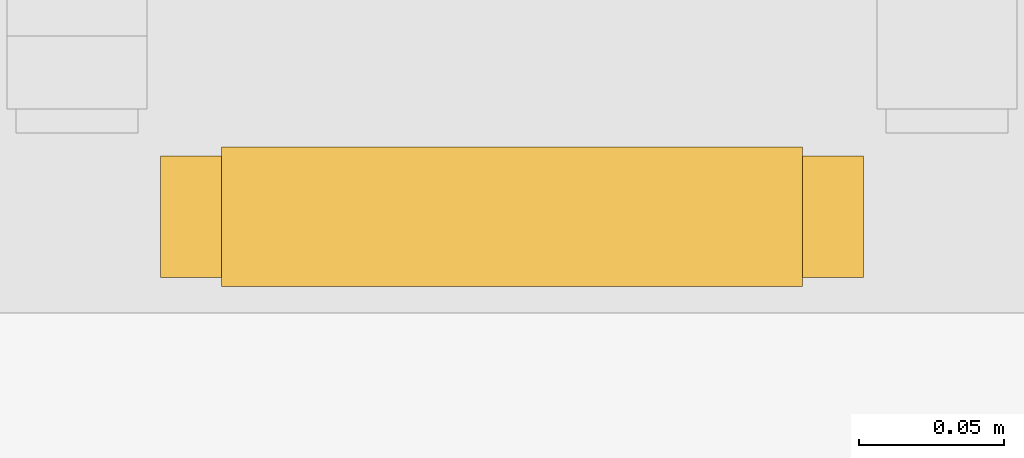
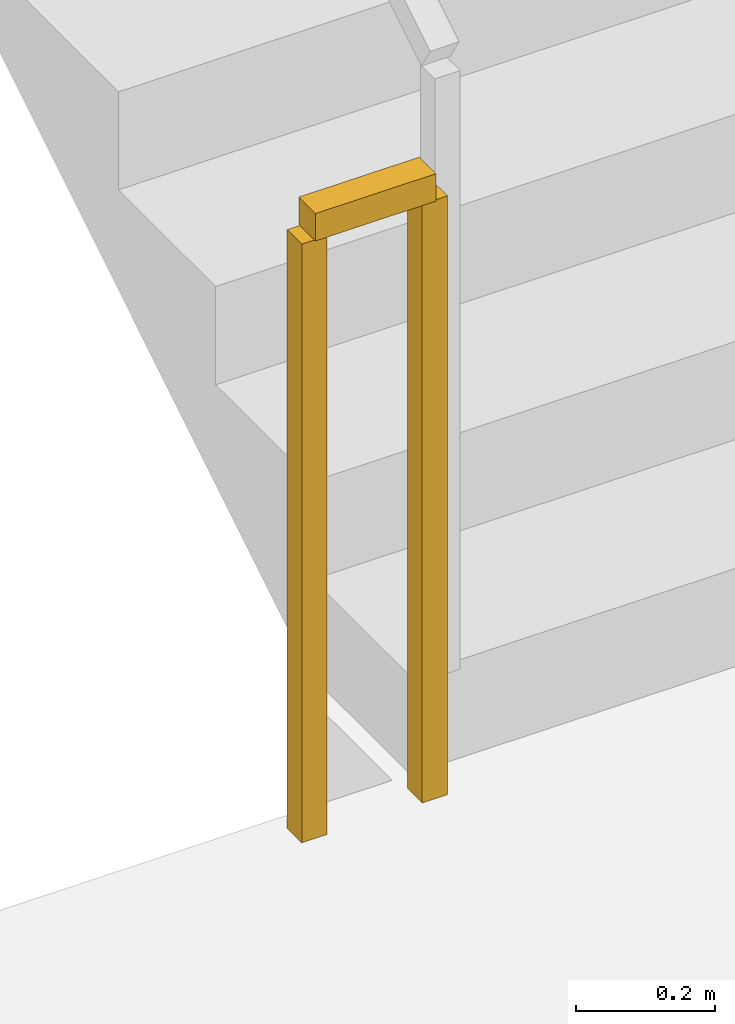
# One storey, part 8 of 11: 1 railing.
"""IFC4 building model written with IfcOpenShell, lengths in metres."""

from ifc_helpers import new_model, si_unit, direction, frame, origin, origin_2d, place, context, subcontext, project, spatial, rectangle, extrude, material, type_object, element, save


model = new_model("IFC4")

# Units and contexts
model_context = context("Model", 3, precision=1e-05, world=origin(), true_north=direction((0.0, 1.0)))
body_context = subcontext(model_context, "Body", "Model", "MODEL_VIEW")
ifc_project = project(units=[si_unit("LENGTHUNIT", "METRE"), si_unit("AREAUNIT", "SQUARE_METRE"), si_unit("VOLUMEUNIT", "CUBIC_METRE"), si_unit("PLANEANGLEUNIT", "RADIAN"), si_unit("MASSUNIT", "GRAM", prefix="KILO")], contexts=[model_context])

# Site, building, storey
site_placement = place(None, origin())
site = spatial("IfcSite", under=ifc_project, at=site_placement, CompositionType="ELEMENT")
building_placement = place(site_placement, origin())
building = spatial("IfcBuilding", under=site, at=building_placement, Name="Haldorwick Loom Tower", CompositionType="ELEMENT")
storey_placement = place(building_placement, frame((0.0, 0.0, 218.64990234375)))
storey = spatial("IfcBuildingStorey", under=building, at=storey_placement, Name="L59", CompositionType="ELEMENT", Elevation=218.64990234375)

# Railing
ifc_material = material(Name="Steel CSA G40.21 350W", Category="steel")
railing_type = type_object("IfcRailingType", Name="ARC-RLG-GUARD112", PredefinedType="GUARDRAIL", material=ifc_material)
railing_placement = place(storey_placement, frame((31.85009765625, 28.35009765625, 0.0)))
element("IfcRailing", 1, at=railing_placement, inside=storey, type_object=railing_type, Name="L59 ST-03 stair guard 4", PredefinedType="GUARDRAIL", context=body_context, shape_type="SweptSolid", body=[
    extrude(rectangle(XDim=0.048095703125, YDim=0.048095703125, at=origin_2d()), frame((0.0, 0.0, 1.076171875), z_axis=(-1.0, 0.0, 0.0), x_axis=(0.0, -1.0, 0.0)), (0.0, 0.0, 1.0), 0.2001953125),
    extrude(rectangle(XDim=0.0419921875, YDim=0.0419921875, at=origin_2d()), origin(), (0.0, 0.0, 1.0), 1.052001953125),
    extrude(rectangle(XDim=0.0419921875, YDim=0.0419921875, at=origin_2d()), frame((-0.2001953125, 0.0, 0.0)), (0.0, 0.0, 1.0), 1.052001953125),
])

save(model, "model.ifc")
